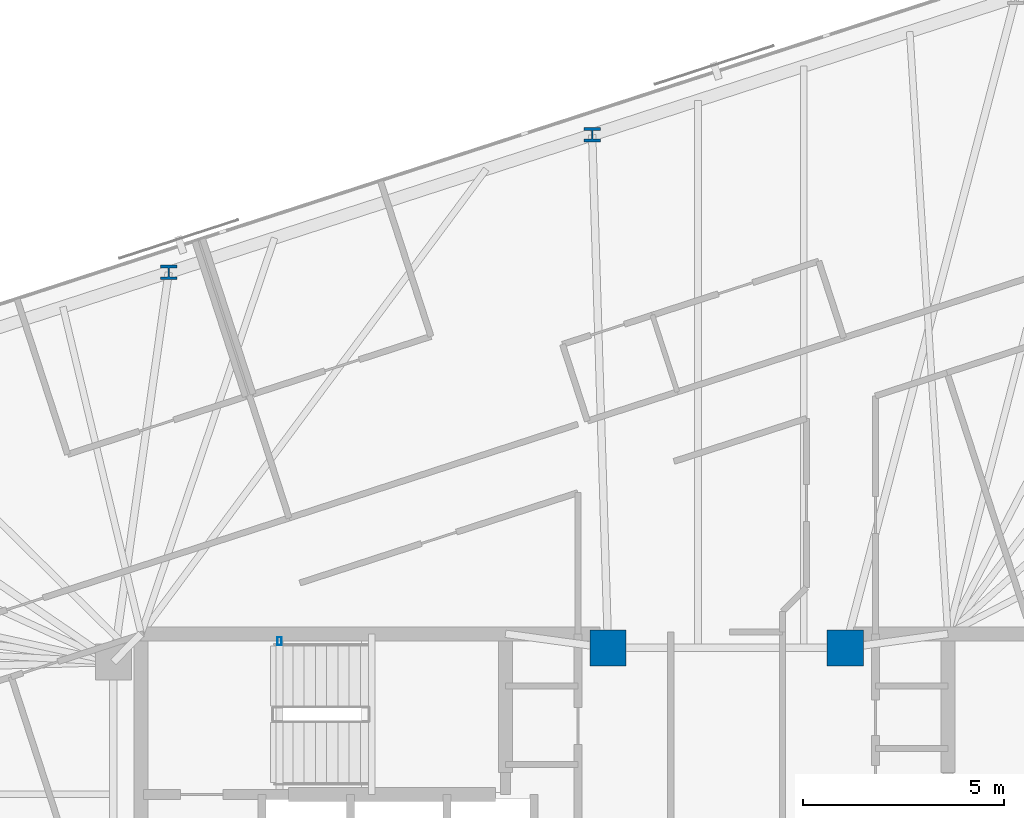
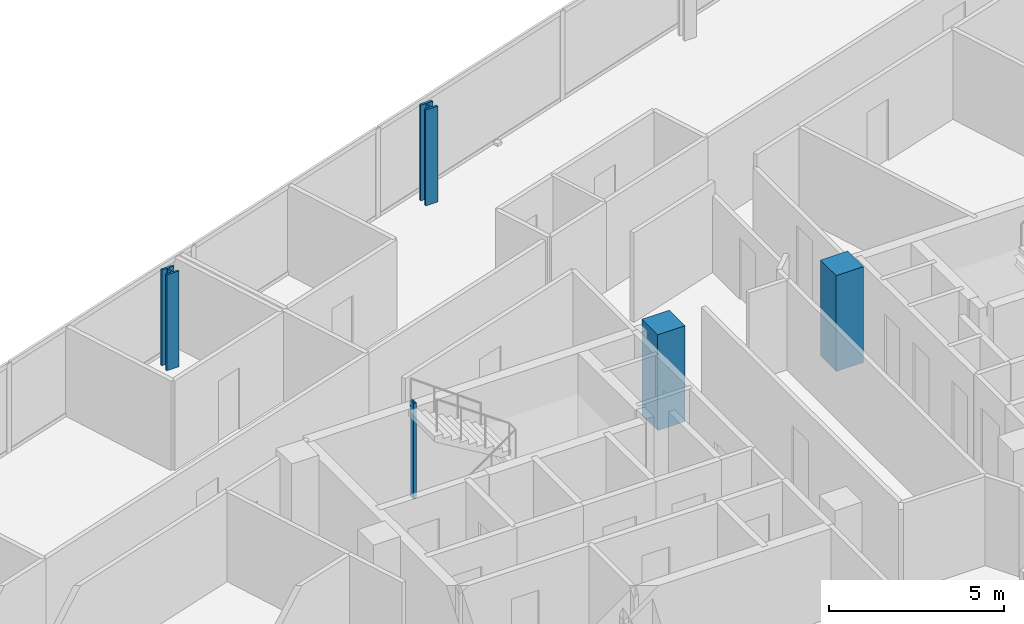
# One storey, part 2 of 19: 5 columns.
"""IFC4 building model written with IfcOpenShell, lengths in metres."""

from ifc_helpers import new_model, si_unit, direction, frame, origin, origin_2d, place, context, subcontext, project, spatial, rectangle, hollow_rectangle, i_section, extrude, material, material_profile, profile_set, type_object, element, save


model = new_model("IFC4")

# Units and contexts
model_context = context("Model", 3, precision=1e-05, world=origin(), true_north=direction((0.0, 1.0)))
body_context = subcontext(model_context, "Body", "Model", "MODEL_VIEW")
ifc_project = project(units=[si_unit("LENGTHUNIT", "METRE"), si_unit("AREAUNIT", "SQUARE_METRE"), si_unit("VOLUMEUNIT", "CUBIC_METRE"), si_unit("PLANEANGLEUNIT", "RADIAN"), si_unit("MASSUNIT", "GRAM", prefix="KILO")], contexts=[model_context])

# Site, building, storey
site_placement = place(None, origin())
site = spatial("IfcSite", under=ifc_project, at=site_placement, CompositionType="ELEMENT")
building_placement = place(site_placement, origin())
building = spatial("IfcBuilding", under=site, at=building_placement, Name="Menara Jurai Vektor", CompositionType="ELEMENT")
storey_placement = place(building_placement, frame((0.0, 0.0, 220.949951171875)))
storey = spatial("IfcBuildingStorey", under=building, at=storey_placement, Name="L58", CompositionType="ELEMENT", Elevation=220.949951171875)

# Columns
ifc_material_1 = material(Name="Concrete C50/60", Category="concrete")
ifc_material_profile_1 = material_profile(ifc_material_1, rectangle(XDim=0.89990234375, YDim=0.89990234375, at=origin_2d()), Name="RC 900x900")
ifc_profile_set_1 = profile_set([ifc_material_profile_1], Name="Concrete C50/60")
column_type_1 = type_object("IfcColumnType", Name="STR-COL-RC900", PredefinedType="COLUMN", material=ifc_profile_set_1)
for number, where, z_axis, x_axis, name in (
    (1, (-2.949951171875, 5.25, 0.0), (0.0, 0.0, 1.0), (1.0, 0.0, 0.0), "Core Spine Column CW-NE L58"),
    (2, (2.949951171875, 5.25, 0.0), (0.0, 0.0, 1.0), (1.0, 0.0, 0.0), "Core Spine Column CE-NW L58"),
):
    element("IfcColumn", number, at=place(storey_placement, frame(where, z_axis=z_axis, x_axis=x_axis)), inside=storey, type_object=column_type_1, Name=name, PredefinedType="COLUMN", context=body_context, shape_type="SweptSolid", body=[
        extrude(rectangle(XDim=0.89990234375, YDim=0.89990234375, at=origin_2d()), origin(), (0.0, 0.0, 1.0), 3.35009765625),
    ])
ifc_material_2 = material(Name="Steel S355", Category="steel")
ifc_material_profile_2 = material_profile(ifc_material_2, hollow_rectangle(XDim=0.10009765625, YDim=0.199951171875, WallThickness=0.008056640625, at=origin_2d()), Name="RHS 200x100x8")
ifc_profile_set_2 = profile_set([ifc_material_profile_2], Name="Steel S355")
column_type_2 = type_object("IfcColumnType", Name="STR-COL-STAIR", PredefinedType="COLUMN", material=ifc_profile_set_2)
column_placement = place(storey_placement, frame((-11.1201171875, 5.419921875, 0.0), z_axis=(0.0, 0.0, 1.0), x_axis=(1.0, 0.0, 0.0)))
element("IfcColumn", 3, at=column_placement, inside=storey, type_object=column_type_2, Name="Stair Well Header Column ST1-P2 L58", PredefinedType="COLUMN", context=body_context, shape_type="SweptSolid", body=[
    extrude(hollow_rectangle(XDim=0.10009765625, YDim=0.199951171875, WallThickness=0.008056640625, at=origin_2d()), origin(), (0.0, 0.0, 1.0), 3.35009765625),
])
ifc_material_3 = material(Name="Steel S460", Category="steel")
ifc_material_profile_3 = material_profile(ifc_material_3, i_section(OverallWidth=0.405029296875, OverallDepth=0.35498046875, WebThickness=0.0419921875, FlangeThickness=0.068115234375, FilletRadius=0.014892578125, at=origin_2d()), Name="HD 400x551")
ifc_profile_set_3 = profile_set([ifc_material_profile_3], Name="Steel S460")
column_type_3 = type_object("IfcColumnType", Name="STR-EXO-BLK4", PredefinedType="COLUMN", material=ifc_profile_set_3)
for number, where, z_axis, x_axis, name in (
    (4, (-3.345703125, 18.008544921875, 0.0), (0.0, 0.0, 1.0), (1.0, 0.0, 0.0), "Exoskeleton Column BLK4-N3 L58"),
    (5, (-13.875, 14.58740234375, 0.0), (0.0, 0.0, 1.0), (1.0, 0.0, 0.0), "Exoskeleton Column BLK4-N4 L58"),
):
    element("IfcColumn", number, at=place(storey_placement, frame(where, z_axis=z_axis, x_axis=x_axis)), inside=storey, type_object=column_type_3, Name=name, PredefinedType="COLUMN", context=body_context, shape_type="SweptSolid", body=[
        extrude(i_section(OverallWidth=0.405029296875, OverallDepth=0.35498046875, WebThickness=0.0419921875, FlangeThickness=0.068115234375, FilletRadius=0.014892578125, at=origin_2d()), origin(), (0.0, 0.0, 1.0), 3.35009765625),
    ])

save(model, "model.ifc")
